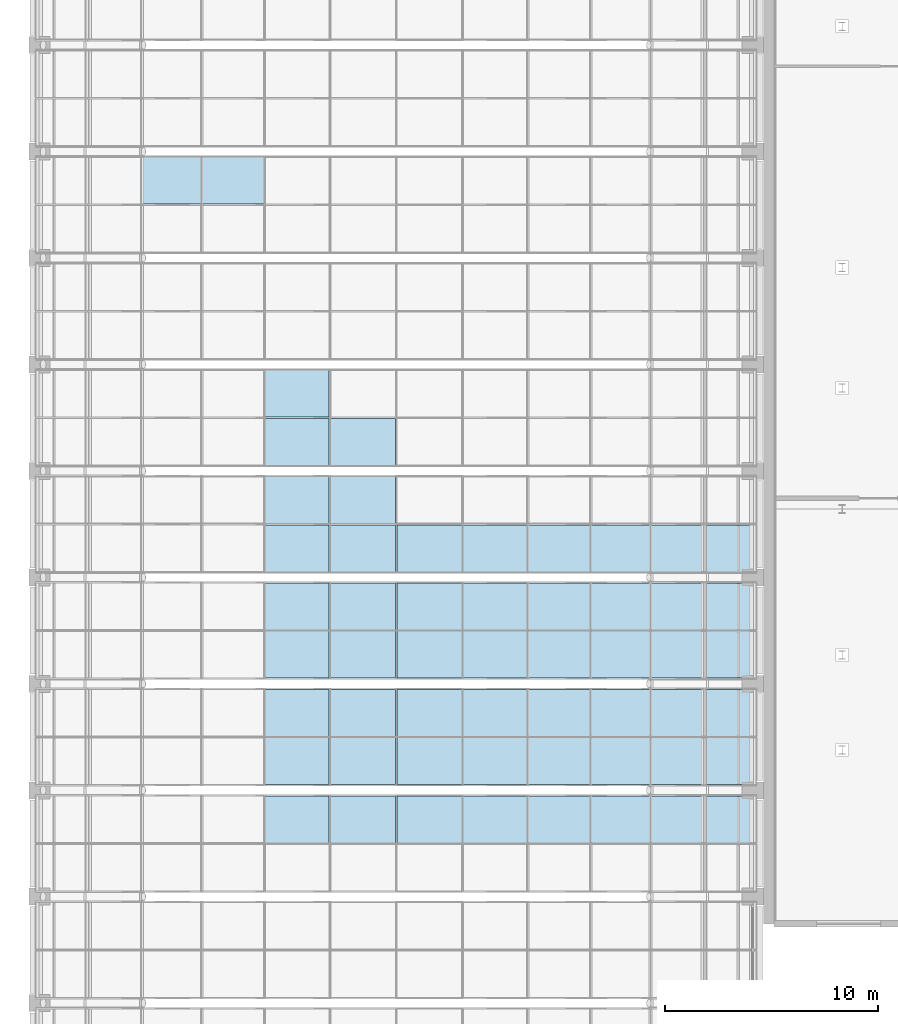
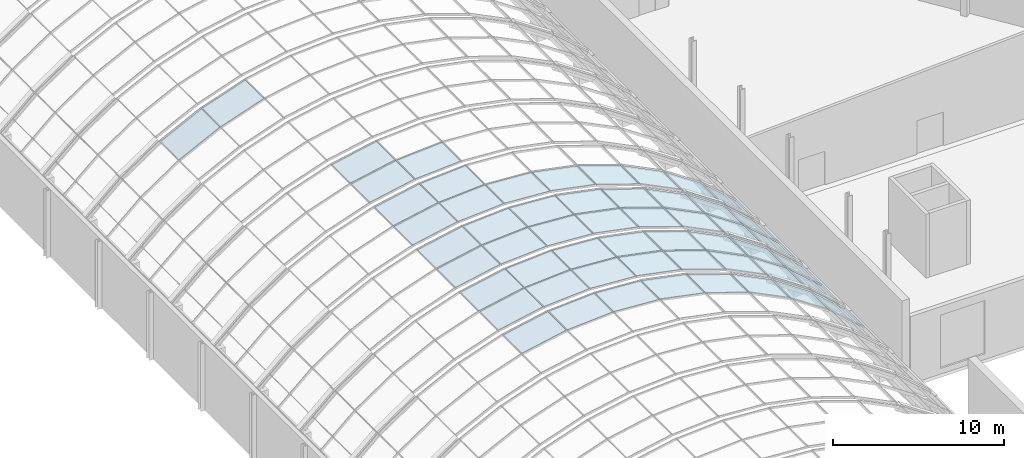
# One storey, part 113 of 182: 55 plates, 6 elements without a shape of their own.
"""IFC4 building model written with IfcOpenShell, lengths in metres."""

from ifc_helpers import new_model, si_unit, direction, frame, origin, place, context, subcontext, project, spatial, polyline, outline, extrude, material, layer, layer_set, type_object, element, aggregate, save


model = new_model("IFC4")

# Units and contexts
model_context = context("Model", 3, precision=1e-05, world=origin(), true_north=direction((0.0, 1.0)))
body_context = subcontext(model_context, "Body", "Model", "MODEL_VIEW")
ifc_project = project(units=[si_unit("LENGTHUNIT", "METRE"), si_unit("AREAUNIT", "SQUARE_METRE"), si_unit("VOLUMEUNIT", "CUBIC_METRE"), si_unit("PLANEANGLEUNIT", "RADIAN"), si_unit("MASSUNIT", "GRAM", prefix="KILO")], contexts=[model_context])

# Site, building, storey
site_placement = place(None, origin())
site = spatial("IfcSite", under=ifc_project, at=site_placement, CompositionType="ELEMENT")
building_placement = place(site_placement, origin())
building = spatial("IfcBuilding", under=site, at=building_placement, Name="Okhra Congress Centre", CompositionType="ELEMENT")
storey_placement = place(building_placement, frame((0.0, 0.0, 7.199951171875)))
storey = spatial("IfcBuildingStorey", under=building, at=storey_placement, Name="L01", CompositionType="ELEMENT", Elevation=7.199951171875)

# Curtain wall, plates
ifc_material_1 = material(Name="Aluminium frame with triple glazing", Category="aluminium")
curtain_wall_type = type_object("IfcCurtainWallType", Name="Glazed vault bay curtain wall", PredefinedType="NOTDEFINED", material=ifc_material_1)
curtain_wall_1_placement = place(storey_placement, origin())
curtain_wall_1 = element("IfcCurtainWall", 1, at=curtain_wall_1_placement, inside=storey, type_object=curtain_wall_type, Name="Vault glazing bay 16", PredefinedType="NOTDEFINED")
ifc_material_2 = material(Name="Laminated toughened glass unit, low-e coating", Category="glass")
ifc_layer_1 = layer(ifc_material_2, 0.035888671875)
ifc_layer_set_1 = layer_set([ifc_layer_1], Name="Laminated safety glazing unit 36 mm")
plate_type_1 = type_object("IfcPlateType", Name="Laminated safety glazing unit 36 mm", PredefinedType="CURTAIN_PANEL", material=ifc_layer_set_1)
plate_1_placement = place(storey_placement, frame((184.217529296875, 153.530029296875, 5.729248046875), z_axis=(0.55946738617, 0.0, 0.82885236551), x_axis=(0.82885236551, 0.0, -0.55946738617)))
plate_1 = element("IfcPlate", 2, at=plate_1_placement, type_object=plate_type_1, Name="Vault glass panel 16.2.11", PredefinedType="CURTAIN_PANEL", context=body_context, shape_type="SweptSolid", body=[
    extrude(outline(polyline([(0.0, 0.0), (3.0668817430899797, 0.0), (3.0668817430899797, 2.206787109375), (0.0, 2.206787109375), (0.0, 0.0)])), origin(), (0.0, 0.0, -1.0), 0.035888671875),
])
plate_2_placement = place(storey_placement, frame((186.806640625, 153.530029296875, 3.976806640625), z_axis=(0.663696509452, 0.0, 0.748001967472), x_axis=(0.748001967472, 0.0, -0.663696509452)))
plate_2 = element("IfcPlate", 3, at=plate_2_placement, type_object=plate_type_1, Name="Vault glass panel 16.2.12", PredefinedType="CURTAIN_PANEL", context=body_context, shape_type="SweptSolid", body=[
    extrude(outline(polyline([(0.0, 0.0), (3.066763741617069, 0.0), (3.066763741617069, 2.206787109375), (0.0, 2.206787109375), (0.0, 0.0)])), origin(), (0.0, 0.0, -1.0), 0.035888671875),
])

curtain_wall_2_placement = place(storey_placement, origin())
curtain_wall_2 = element("IfcCurtainWall", 4, at=curtain_wall_2_placement, inside=storey, type_object=curtain_wall_type, Name="Vault glazing bay 17", PredefinedType="NOTDEFINED")
plate_3_placement = place(storey_placement, frame((184.217529296875, 156.26318359375, 5.729248046875), z_axis=(0.55946738617, 0.0, 0.82885236551), x_axis=(0.82885236551, 0.0, -0.55946738617)))
plate_3 = element("IfcPlate", 5, at=plate_3_placement, type_object=plate_type_1, Name="Vault glass panel 17.1.11", PredefinedType="CURTAIN_PANEL", context=body_context, shape_type="SweptSolid", body=[
    extrude(outline(polyline([(0.0, 0.0), (3.0668817430899797, 0.0), (3.0668817430899797, 2.206787109375), (0.0, 2.206787109375), (0.0, 0.0)])), origin(), (0.0, 0.0, -1.0), 0.035888671875),
])
plate_4_placement = place(storey_placement, frame((186.806640625, 156.26318359375, 3.976806640625), z_axis=(0.663696509452, 0.0, 0.748001967472), x_axis=(0.748001967472, 0.0, -0.663696509452)))
plate_4 = element("IfcPlate", 6, at=plate_4_placement, type_object=plate_type_1, Name="Vault glass panel 17.1.12", PredefinedType="CURTAIN_PANEL", context=body_context, shape_type="SweptSolid", body=[
    extrude(outline(polyline([(0.0, 0.0), (3.066763741617069, 0.0), (3.066763741617069, 2.206787109375), (0.0, 2.206787109375), (0.0, 0.0)])), origin(), (0.0, 0.0, -1.0), 0.035888671875),
])
plate_5_placement = place(storey_placement, frame((184.217529296875, 158.530029296875, 5.729248046875), z_axis=(0.55946738617, 0.0, 0.82885236551), x_axis=(0.82885236551, 0.0, -0.55946738617)))
plate_5 = element("IfcPlate", 7, at=plate_5_placement, type_object=plate_type_1, Name="Vault glass panel 17.2.11", PredefinedType="CURTAIN_PANEL", context=body_context, shape_type="SweptSolid", body=[
    extrude(outline(polyline([(0.0, 0.0), (3.0668817430899797, 0.0), (3.0668817430899797, 2.206787109375), (0.0, 2.206787109375), (0.0, 0.0)])), origin(), (0.0, 0.0, -1.0), 0.035888671875),
])
plate_6_placement = place(storey_placement, frame((186.806640625, 158.530029296875, 3.976806640625), z_axis=(0.663696509452, 0.0, 0.748001967472), x_axis=(0.748001967472, 0.0, -0.663696509452)))
plate_6 = element("IfcPlate", 8, at=plate_6_placement, type_object=plate_type_1, Name="Vault glass panel 17.2.12", PredefinedType="CURTAIN_PANEL", context=body_context, shape_type="SweptSolid", body=[
    extrude(outline(polyline([(0.0, 0.0), (3.066763741617069, 0.0), (3.066763741617069, 2.206787109375), (0.0, 2.206787109375), (0.0, 0.0)])), origin(), (0.0, 0.0, -1.0), 0.035888671875),
])

curtain_wall_3_placement = place(storey_placement, origin())
curtain_wall_3 = element("IfcCurtainWall", 9, at=curtain_wall_3_placement, inside=storey, type_object=curtain_wall_type, Name="Vault glazing bay 18", PredefinedType="NOTDEFINED")
plate_7_placement = place(storey_placement, frame((184.217529296875, 161.26318359375, 5.729248046875), z_axis=(0.55946738617, 0.0, 0.82885236551), x_axis=(0.82885236551, 0.0, -0.55946738617)))
plate_7 = element("IfcPlate", 10, at=plate_7_placement, type_object=plate_type_1, Name="Vault glass panel 18.1.11", PredefinedType="CURTAIN_PANEL", context=body_context, shape_type="SweptSolid", body=[
    extrude(outline(polyline([(0.0, 0.0), (3.0668817430899797, 0.0), (3.0668817430899797, 2.206787109375), (0.0, 2.206787109375), (0.0, 0.0)])), origin(), (0.0, 0.0, -1.0), 0.035888671875),
])
plate_8_placement = place(storey_placement, frame((186.806640625, 161.26318359375, 3.976806640625), z_axis=(0.663696509452, 0.0, 0.748001967472), x_axis=(0.748001967472, 0.0, -0.663696509452)))
plate_8 = element("IfcPlate", 11, at=plate_8_placement, type_object=plate_type_1, Name="Vault glass panel 18.1.12", PredefinedType="CURTAIN_PANEL", context=body_context, shape_type="SweptSolid", body=[
    extrude(outline(polyline([(0.0, 0.0), (3.066763741617069, 0.0), (3.066763741617069, 2.206787109375), (0.0, 2.206787109375), (0.0, 0.0)])), origin(), (0.0, 0.0, -1.0), 0.035888671875),
])
plate_9_placement = place(storey_placement, frame((184.217529296875, 163.530029296875, 5.729248046875), z_axis=(0.55946738617, 0.0, 0.82885236551), x_axis=(0.82885236551, 0.0, -0.55946738617)))
plate_9 = element("IfcPlate", 12, at=plate_9_placement, type_object=plate_type_1, Name="Vault glass panel 18.2.11", PredefinedType="CURTAIN_PANEL", context=body_context, shape_type="SweptSolid", body=[
    extrude(outline(polyline([(0.0, 0.0), (3.0668817430899797, 0.0), (3.0668817430899797, 2.206787109375), (0.0, 2.206787109375), (0.0, 0.0)])), origin(), (0.0, 0.0, -1.0), 0.035888671875),
])
plate_10_placement = place(storey_placement, frame((186.806640625, 163.530029296875, 3.976806640625), z_axis=(0.663696509452, 0.0, 0.748001967472), x_axis=(0.748001967472, 0.0, -0.663696509452)))
plate_10 = element("IfcPlate", 13, at=plate_10_placement, type_object=plate_type_1, Name="Vault glass panel 18.2.12", PredefinedType="CURTAIN_PANEL", context=body_context, shape_type="SweptSolid", body=[
    extrude(outline(polyline([(0.0, 0.0), (3.066763741617069, 0.0), (3.066763741617069, 2.206787109375), (0.0, 2.206787109375), (0.0, 0.0)])), origin(), (0.0, 0.0, -1.0), 0.035888671875),
])

curtain_wall_4_placement = place(storey_placement, origin())
curtain_wall_4 = element("IfcCurtainWall", 14, at=curtain_wall_4_placement, inside=storey, type_object=curtain_wall_type, Name="Vault glazing bay 19", PredefinedType="NOTDEFINED")
plate_11_placement = place(storey_placement, frame((184.217529296875, 166.26318359375, 5.729248046875), z_axis=(0.55946738617, 0.0, 0.82885236551), x_axis=(0.82885236551, 0.0, -0.55946738617)))
plate_11 = element("IfcPlate", 15, at=plate_11_placement, type_object=plate_type_1, Name="Vault glass panel 19.1.11", PredefinedType="CURTAIN_PANEL", context=body_context, shape_type="SweptSolid", body=[
    extrude(outline(polyline([(0.0, 0.0), (3.0668817430899797, 0.0), (3.0668817430899797, 2.206787109375), (0.0, 2.206787109375), (0.0, 0.0)])), origin(), (0.0, 0.0, -1.0), 0.035888671875),
])
plate_12_placement = place(storey_placement, frame((186.806640625, 166.26318359375, 3.976806640625), z_axis=(0.663696509452, 0.0, 0.748001967472), x_axis=(0.748001967472, 0.0, -0.663696509452)))
plate_12 = element("IfcPlate", 16, at=plate_12_placement, type_object=plate_type_1, Name="Vault glass panel 19.1.12", PredefinedType="CURTAIN_PANEL", context=body_context, shape_type="SweptSolid", body=[
    extrude(outline(polyline([(0.0, 0.0), (3.066763741617069, 0.0), (3.066763741617069, 2.206787109375), (0.0, 2.206787109375), (0.0, 0.0)])), origin(), (0.0, 0.0, -1.0), 0.035888671875),
])

# Plate
ifc_material_3 = material(Name="Toughened triple glazed unit")
ifc_layer_2 = layer(ifc_material_3, 0.028076171875)
ifc_layer_set_2 = layer_set([ifc_layer_2], Name="Triple glazed unit 28 mm")
plate_type_2 = type_object("IfcPlateType", Name="Triple glazed unit 28 mm", PredefinedType="CURTAIN_PANEL", material=ifc_layer_set_2)
plate_13_placement = place(storey_placement, frame((166.094970703125, 153.530029296875, 8.154052734375), z_axis=(-0.196667336174, 0.0, 0.980470274349), x_axis=(0.980470274349, 0.0, 0.196667336174)))
plate_13 = element("IfcPlate", 17, at=plate_13_placement, type_object=plate_type_2, Name="Vault glass panel 16.2.5", PredefinedType="CURTAIN_PANEL", context=body_context, shape_type="SweptSolid", body=[
    extrude(outline(polyline([(0.0, 0.0), (3.0662302926476426, 0.0), (3.0662302926476426, 2.206787109375), (0.0, 2.206787109375), (0.0, 0.0)])), origin(), (0.0, 0.0, -1.0), 0.028076171875),
])

plate_14_placement = place(storey_placement, frame((169.16064453125, 153.530029296875, 8.764892578125), z_axis=(-0.065932355807, 0.0, 0.997824094947), x_axis=(0.997824094947, 0.0, 0.065932355807)))
plate_14 = element("IfcPlate", 18, at=plate_14_placement, type_object=plate_type_2, Name="Vault glass panel 16.2.6", PredefinedType="CURTAIN_PANEL", context=body_context, shape_type="SweptSolid", body=[
    extrude(outline(polyline([(0.0, 0.0), (3.0659974913073613, 0.0), (3.0659974913073613, 2.2067871093750004), (0.0, 2.2067871093750004), (0.0, 0.0)])), origin(), (0.0, 0.0, -1.0), 0.028076171875),
])

plate_15_placement = place(storey_placement, frame((172.280029296875, 153.530029296875, 8.967041015625), z_axis=(0.065932355807, 0.0, 0.997824094947), x_axis=(0.997824094947, 0.0, -0.065932355807)))
plate_15 = element("IfcPlate", 19, at=plate_15_placement, type_object=plate_type_2, Name="Vault glass panel 16.2.7", PredefinedType="CURTAIN_PANEL", context=body_context, shape_type="SweptSolid", body=[
    extrude(outline(polyline([(0.0, 0.0), (3.0659974913073613, 0.0), (3.0659974913073613, 2.2067871093750004), (0.0, 2.2067871093750004), (0.0, 0.0)])), origin(), (0.0, 0.0, -1.0), 0.028076171875),
])

plate_16_placement = place(storey_placement, frame((175.398681640625, 153.530029296875, 8.757080078125), z_axis=(0.196667336174, 0.0, 0.980470274349), x_axis=(0.980470274349, 0.0, -0.196667336174)))
plate_16 = element("IfcPlate", 20, at=plate_16_placement, type_object=plate_type_2, Name="Vault glass panel 16.2.8", PredefinedType="CURTAIN_PANEL", context=body_context, shape_type="SweptSolid", body=[
    extrude(outline(polyline([(0.0, 0.0), (3.0662302926476426, 0.0), (3.0662302926476426, 2.206787109375), (0.0, 2.206787109375), (0.0, 0.0)])), origin(), (0.0, 0.0, -1.0), 0.028076171875),
])

plate_17_placement = place(storey_placement, frame((178.462890625, 153.530029296875, 8.138427734375), z_axis=(0.323909017048, 0.0, 0.946088235143), x_axis=(0.946088235143, 0.0, -0.323909017048)))
plate_17 = element("IfcPlate", 21, at=plate_17_placement, type_object=plate_type_2, Name="Vault glass panel 16.2.9", PredefinedType="CURTAIN_PANEL", context=body_context, shape_type="SweptSolid", body=[
    extrude(outline(polyline([(0.0, 0.0), (3.0661822000278622, 0.0), (3.0661822000278622, 2.2067871093750004), (0.0, 2.2067871093750004), (0.0, 0.0)])), origin(), (0.0, 0.0, -1.0), 0.028076171875),
])

plate_18_placement = place(storey_placement, frame((181.4189453125, 153.530029296875, 7.122314453125), z_axis=(0.445588482535, 0.0, 0.895237903706), x_axis=(0.895237903706, 0.0, -0.445588482535)))
plate_18 = element("IfcPlate", 22, at=plate_18_placement, type_object=plate_type_2, Name="Vault glass panel 16.2.10", PredefinedType="CURTAIN_PANEL", context=body_context, shape_type="SweptSolid", body=[
    extrude(outline(polyline([(0.0, 0.0), (3.066082250887193, 0.0), (3.066082250887193, 2.206787109375), (0.0, 2.206787109375), (0.0, 0.0)])), origin(), (0.0, 0.0, -1.0), 0.028076171875),
])

aggregate(curtain_wall_1, [plate_13, plate_14, plate_15, plate_16, plate_17, plate_18, plate_1, plate_2])

plate_19_placement = place(storey_placement, frame((166.094970703125, 156.26318359375, 8.154052734375), z_axis=(-0.196667336174, 0.0, 0.980470274349), x_axis=(0.980470274349, 0.0, 0.196667336174)))
plate_19 = element("IfcPlate", 23, at=plate_19_placement, type_object=plate_type_2, Name="Vault glass panel 17.1.5", PredefinedType="CURTAIN_PANEL", context=body_context, shape_type="SweptSolid", body=[
    extrude(outline(polyline([(0.0, 0.0), (3.0662302926476426, 0.0), (3.0662302926476426, 2.206787109375), (0.0, 2.206787109375), (0.0, 0.0)])), origin(), (0.0, 0.0, -1.0), 0.028076171875),
])

plate_20_placement = place(storey_placement, frame((169.16064453125, 156.26318359375, 8.764892578125), z_axis=(-0.065932355807, 0.0, 0.997824094947), x_axis=(0.997824094947, 0.0, 0.065932355807)))
plate_20 = element("IfcPlate", 24, at=plate_20_placement, type_object=plate_type_2, Name="Vault glass panel 17.1.6", PredefinedType="CURTAIN_PANEL", context=body_context, shape_type="SweptSolid", body=[
    extrude(outline(polyline([(0.0, 0.0), (3.0659974913073613, 0.0), (3.0659974913073613, 2.2067871093750004), (0.0, 2.2067871093750004), (0.0, 0.0)])), origin(), (0.0, 0.0, -1.0), 0.028076171875),
])

plate_21_placement = place(storey_placement, frame((172.280029296875, 156.26318359375, 8.967041015625), z_axis=(0.065932355807, 0.0, 0.997824094947), x_axis=(0.997824094947, 0.0, -0.065932355807)))
plate_21 = element("IfcPlate", 25, at=plate_21_placement, type_object=plate_type_2, Name="Vault glass panel 17.1.7", PredefinedType="CURTAIN_PANEL", context=body_context, shape_type="SweptSolid", body=[
    extrude(outline(polyline([(0.0, 0.0), (3.0659974913073613, 0.0), (3.0659974913073613, 2.2067871093750004), (0.0, 2.2067871093750004), (0.0, 0.0)])), origin(), (0.0, 0.0, -1.0), 0.028076171875),
])

plate_22_placement = place(storey_placement, frame((175.398681640625, 156.26318359375, 8.757080078125), z_axis=(0.196667336174, 0.0, 0.980470274349), x_axis=(0.980470274349, 0.0, -0.196667336174)))
plate_22 = element("IfcPlate", 26, at=plate_22_placement, type_object=plate_type_2, Name="Vault glass panel 17.1.8", PredefinedType="CURTAIN_PANEL", context=body_context, shape_type="SweptSolid", body=[
    extrude(outline(polyline([(0.0, 0.0), (3.0662302926476426, 0.0), (3.0662302926476426, 2.206787109375), (0.0, 2.206787109375), (0.0, 0.0)])), origin(), (0.0, 0.0, -1.0), 0.028076171875),
])

plate_23_placement = place(storey_placement, frame((178.462890625, 156.26318359375, 8.138427734375), z_axis=(0.323909017048, 0.0, 0.946088235143), x_axis=(0.946088235143, 0.0, -0.323909017048)))
plate_23 = element("IfcPlate", 27, at=plate_23_placement, type_object=plate_type_2, Name="Vault glass panel 17.1.9", PredefinedType="CURTAIN_PANEL", context=body_context, shape_type="SweptSolid", body=[
    extrude(outline(polyline([(0.0, 0.0), (3.0661822000278622, 0.0), (3.0661822000278622, 2.2067871093750004), (0.0, 2.2067871093750004), (0.0, 0.0)])), origin(), (0.0, 0.0, -1.0), 0.028076171875),
])

plate_24_placement = place(storey_placement, frame((181.4189453125, 156.26318359375, 7.122314453125), z_axis=(0.445588482535, 0.0, 0.895237903706), x_axis=(0.895237903706, 0.0, -0.445588482535)))
plate_24 = element("IfcPlate", 28, at=plate_24_placement, type_object=plate_type_2, Name="Vault glass panel 17.1.10", PredefinedType="CURTAIN_PANEL", context=body_context, shape_type="SweptSolid", body=[
    extrude(outline(polyline([(0.0, 0.0), (3.066082250887193, 0.0), (3.066082250887193, 2.206787109375), (0.0, 2.206787109375), (0.0, 0.0)])), origin(), (0.0, 0.0, -1.0), 0.028076171875),
])

plate_25_placement = place(storey_placement, frame((166.094970703125, 158.530029296875, 8.154052734375), z_axis=(-0.196667336174, 0.0, 0.980470274349), x_axis=(0.980470274349, 0.0, 0.196667336174)))
plate_25 = element("IfcPlate", 29, at=plate_25_placement, type_object=plate_type_2, Name="Vault glass panel 17.2.5", PredefinedType="CURTAIN_PANEL", context=body_context, shape_type="SweptSolid", body=[
    extrude(outline(polyline([(0.0, 0.0), (3.0662302926476426, 0.0), (3.0662302926476426, 2.206787109375), (0.0, 2.206787109375), (0.0, 0.0)])), origin(), (0.0, 0.0, -1.0), 0.028076171875),
])

plate_26_placement = place(storey_placement, frame((169.16064453125, 158.530029296875, 8.764892578125), z_axis=(-0.065932355807, 0.0, 0.997824094947), x_axis=(0.997824094947, 0.0, 0.065932355807)))
plate_26 = element("IfcPlate", 30, at=plate_26_placement, type_object=plate_type_2, Name="Vault glass panel 17.2.6", PredefinedType="CURTAIN_PANEL", context=body_context, shape_type="SweptSolid", body=[
    extrude(outline(polyline([(0.0, 0.0), (3.0659974913073613, 0.0), (3.0659974913073613, 2.2067871093750004), (0.0, 2.2067871093750004), (0.0, 0.0)])), origin(), (0.0, 0.0, -1.0), 0.028076171875),
])

plate_27_placement = place(storey_placement, frame((172.280029296875, 158.530029296875, 8.967041015625), z_axis=(0.065932355807, 0.0, 0.997824094947), x_axis=(0.997824094947, 0.0, -0.065932355807)))
plate_27 = element("IfcPlate", 31, at=plate_27_placement, type_object=plate_type_2, Name="Vault glass panel 17.2.7", PredefinedType="CURTAIN_PANEL", context=body_context, shape_type="SweptSolid", body=[
    extrude(outline(polyline([(0.0, 0.0), (3.0659974913073613, 0.0), (3.0659974913073613, 2.2067871093750004), (0.0, 2.2067871093750004), (0.0, 0.0)])), origin(), (0.0, 0.0, -1.0), 0.028076171875),
])

plate_28_placement = place(storey_placement, frame((175.398681640625, 158.530029296875, 8.757080078125), z_axis=(0.196667336174, 0.0, 0.980470274349), x_axis=(0.980470274349, 0.0, -0.196667336174)))
plate_28 = element("IfcPlate", 32, at=plate_28_placement, type_object=plate_type_2, Name="Vault glass panel 17.2.8", PredefinedType="CURTAIN_PANEL", context=body_context, shape_type="SweptSolid", body=[
    extrude(outline(polyline([(0.0, 0.0), (3.0662302926476426, 0.0), (3.0662302926476426, 2.206787109375), (0.0, 2.206787109375), (0.0, 0.0)])), origin(), (0.0, 0.0, -1.0), 0.028076171875),
])

plate_29_placement = place(storey_placement, frame((178.462890625, 158.530029296875, 8.138427734375), z_axis=(0.323909017048, 0.0, 0.946088235143), x_axis=(0.946088235143, 0.0, -0.323909017048)))
plate_29 = element("IfcPlate", 33, at=plate_29_placement, type_object=plate_type_2, Name="Vault glass panel 17.2.9", PredefinedType="CURTAIN_PANEL", context=body_context, shape_type="SweptSolid", body=[
    extrude(outline(polyline([(0.0, 0.0), (3.0661822000278622, 0.0), (3.0661822000278622, 2.2067871093750004), (0.0, 2.2067871093750004), (0.0, 0.0)])), origin(), (0.0, 0.0, -1.0), 0.028076171875),
])

plate_30_placement = place(storey_placement, frame((181.4189453125, 158.530029296875, 7.122314453125), z_axis=(0.445588482535, 0.0, 0.895237903706), x_axis=(0.895237903706, 0.0, -0.445588482535)))
plate_30 = element("IfcPlate", 34, at=plate_30_placement, type_object=plate_type_2, Name="Vault glass panel 17.2.10", PredefinedType="CURTAIN_PANEL", context=body_context, shape_type="SweptSolid", body=[
    extrude(outline(polyline([(0.0, 0.0), (3.066082250887193, 0.0), (3.066082250887193, 2.206787109375), (0.0, 2.206787109375), (0.0, 0.0)])), origin(), (0.0, 0.0, -1.0), 0.028076171875),
])

aggregate(curtain_wall_2, [plate_19, plate_20, plate_21, plate_22, plate_23, plate_24, plate_3, plate_4, plate_25, plate_26, plate_27, plate_28, plate_29, plate_30, plate_5, plate_6])

plate_31_placement = place(storey_placement, frame((166.094970703125, 161.26318359375, 8.154052734375), z_axis=(-0.196667336174, 0.0, 0.980470274349), x_axis=(0.980470274349, 0.0, 0.196667336174)))
plate_31 = element("IfcPlate", 35, at=plate_31_placement, type_object=plate_type_2, Name="Vault glass panel 18.1.5", PredefinedType="CURTAIN_PANEL", context=body_context, shape_type="SweptSolid", body=[
    extrude(outline(polyline([(0.0, 0.0), (3.0662302926476426, 0.0), (3.0662302926476426, 2.206787109375), (0.0, 2.206787109375), (0.0, 0.0)])), origin(), (0.0, 0.0, -1.0), 0.028076171875),
])

plate_32_placement = place(storey_placement, frame((169.16064453125, 161.26318359375, 8.764892578125), z_axis=(-0.065932355807, 0.0, 0.997824094947), x_axis=(0.997824094947, 0.0, 0.065932355807)))
plate_32 = element("IfcPlate", 36, at=plate_32_placement, type_object=plate_type_2, Name="Vault glass panel 18.1.6", PredefinedType="CURTAIN_PANEL", context=body_context, shape_type="SweptSolid", body=[
    extrude(outline(polyline([(0.0, 0.0), (3.0659974913073613, 0.0), (3.0659974913073613, 2.2067871093750004), (0.0, 2.2067871093750004), (0.0, 0.0)])), origin(), (0.0, 0.0, -1.0), 0.028076171875),
])

plate_33_placement = place(storey_placement, frame((172.280029296875, 161.26318359375, 8.967041015625), z_axis=(0.065932355807, 0.0, 0.997824094947), x_axis=(0.997824094947, 0.0, -0.065932355807)))
plate_33 = element("IfcPlate", 37, at=plate_33_placement, type_object=plate_type_2, Name="Vault glass panel 18.1.7", PredefinedType="CURTAIN_PANEL", context=body_context, shape_type="SweptSolid", body=[
    extrude(outline(polyline([(0.0, 0.0), (3.0659974913073613, 0.0), (3.0659974913073613, 2.2067871093750004), (0.0, 2.2067871093750004), (0.0, 0.0)])), origin(), (0.0, 0.0, -1.0), 0.028076171875),
])

plate_34_placement = place(storey_placement, frame((175.398681640625, 161.26318359375, 8.757080078125), z_axis=(0.196667336174, 0.0, 0.980470274349), x_axis=(0.980470274349, 0.0, -0.196667336174)))
plate_34 = element("IfcPlate", 38, at=plate_34_placement, type_object=plate_type_2, Name="Vault glass panel 18.1.8", PredefinedType="CURTAIN_PANEL", context=body_context, shape_type="SweptSolid", body=[
    extrude(outline(polyline([(0.0, 0.0), (3.0662302926476426, 0.0), (3.0662302926476426, 2.206787109375), (0.0, 2.206787109375), (0.0, 0.0)])), origin(), (0.0, 0.0, -1.0), 0.028076171875),
])

plate_35_placement = place(storey_placement, frame((178.462890625, 161.26318359375, 8.138427734375), z_axis=(0.323909017048, 0.0, 0.946088235143), x_axis=(0.946088235143, 0.0, -0.323909017048)))
plate_35 = element("IfcPlate", 39, at=plate_35_placement, type_object=plate_type_2, Name="Vault glass panel 18.1.9", PredefinedType="CURTAIN_PANEL", context=body_context, shape_type="SweptSolid", body=[
    extrude(outline(polyline([(0.0, 0.0), (3.0661822000278622, 0.0), (3.0661822000278622, 2.2067871093750004), (0.0, 2.2067871093750004), (0.0, 0.0)])), origin(), (0.0, 0.0, -1.0), 0.028076171875),
])

plate_36_placement = place(storey_placement, frame((181.4189453125, 161.26318359375, 7.122314453125), z_axis=(0.445588482535, 0.0, 0.895237903706), x_axis=(0.895237903706, 0.0, -0.445588482535)))
plate_36 = element("IfcPlate", 40, at=plate_36_placement, type_object=plate_type_2, Name="Vault glass panel 18.1.10", PredefinedType="CURTAIN_PANEL", context=body_context, shape_type="SweptSolid", body=[
    extrude(outline(polyline([(0.0, 0.0), (3.066082250887193, 0.0), (3.066082250887193, 2.206787109375), (0.0, 2.206787109375), (0.0, 0.0)])), origin(), (0.0, 0.0, -1.0), 0.028076171875),
])

plate_37_placement = place(storey_placement, frame((166.094970703125, 163.530029296875, 8.154052734375), z_axis=(-0.196667336174, 0.0, 0.980470274349), x_axis=(0.980470274349, 0.0, 0.196667336174)))
plate_37 = element("IfcPlate", 41, at=plate_37_placement, type_object=plate_type_2, Name="Vault glass panel 18.2.5", PredefinedType="CURTAIN_PANEL", context=body_context, shape_type="SweptSolid", body=[
    extrude(outline(polyline([(0.0, 0.0), (3.0662302926476426, 0.0), (3.0662302926476426, 2.206787109375), (0.0, 2.206787109375), (0.0, 0.0)])), origin(), (0.0, 0.0, -1.0), 0.028076171875),
])

plate_38_placement = place(storey_placement, frame((169.16064453125, 163.530029296875, 8.764892578125), z_axis=(-0.065932355807, 0.0, 0.997824094947), x_axis=(0.997824094947, 0.0, 0.065932355807)))
plate_38 = element("IfcPlate", 42, at=plate_38_placement, type_object=plate_type_2, Name="Vault glass panel 18.2.6", PredefinedType="CURTAIN_PANEL", context=body_context, shape_type="SweptSolid", body=[
    extrude(outline(polyline([(0.0, 0.0), (3.0659974913073613, 0.0), (3.0659974913073613, 2.2067871093750004), (0.0, 2.2067871093750004), (0.0, 0.0)])), origin(), (0.0, 0.0, -1.0), 0.028076171875),
])

plate_39_placement = place(storey_placement, frame((172.280029296875, 163.530029296875, 8.967041015625), z_axis=(0.065932355807, 0.0, 0.997824094947), x_axis=(0.997824094947, 0.0, -0.065932355807)))
plate_39 = element("IfcPlate", 43, at=plate_39_placement, type_object=plate_type_2, Name="Vault glass panel 18.2.7", PredefinedType="CURTAIN_PANEL", context=body_context, shape_type="SweptSolid", body=[
    extrude(outline(polyline([(0.0, 0.0), (3.0659974913073613, 0.0), (3.0659974913073613, 2.2067871093750004), (0.0, 2.2067871093750004), (0.0, 0.0)])), origin(), (0.0, 0.0, -1.0), 0.028076171875),
])

plate_40_placement = place(storey_placement, frame((175.398681640625, 163.530029296875, 8.757080078125), z_axis=(0.196667336174, 0.0, 0.980470274349), x_axis=(0.980470274349, 0.0, -0.196667336174)))
plate_40 = element("IfcPlate", 44, at=plate_40_placement, type_object=plate_type_2, Name="Vault glass panel 18.2.8", PredefinedType="CURTAIN_PANEL", context=body_context, shape_type="SweptSolid", body=[
    extrude(outline(polyline([(0.0, 0.0), (3.0662302926476426, 0.0), (3.0662302926476426, 2.206787109375), (0.0, 2.206787109375), (0.0, 0.0)])), origin(), (0.0, 0.0, -1.0), 0.028076171875),
])

plate_41_placement = place(storey_placement, frame((178.462890625, 163.530029296875, 8.138427734375), z_axis=(0.323909017048, 0.0, 0.946088235143), x_axis=(0.946088235143, 0.0, -0.323909017048)))
plate_41 = element("IfcPlate", 45, at=plate_41_placement, type_object=plate_type_2, Name="Vault glass panel 18.2.9", PredefinedType="CURTAIN_PANEL", context=body_context, shape_type="SweptSolid", body=[
    extrude(outline(polyline([(0.0, 0.0), (3.0661822000278622, 0.0), (3.0661822000278622, 2.2067871093750004), (0.0, 2.2067871093750004), (0.0, 0.0)])), origin(), (0.0, 0.0, -1.0), 0.028076171875),
])

plate_42_placement = place(storey_placement, frame((181.4189453125, 163.530029296875, 7.122314453125), z_axis=(0.445588482535, 0.0, 0.895237903706), x_axis=(0.895237903706, 0.0, -0.445588482535)))
plate_42 = element("IfcPlate", 46, at=plate_42_placement, type_object=plate_type_2, Name="Vault glass panel 18.2.10", PredefinedType="CURTAIN_PANEL", context=body_context, shape_type="SweptSolid", body=[
    extrude(outline(polyline([(0.0, 0.0), (3.066082250887193, 0.0), (3.066082250887193, 2.206787109375), (0.0, 2.206787109375), (0.0, 0.0)])), origin(), (0.0, 0.0, -1.0), 0.028076171875),
])

aggregate(curtain_wall_3, [plate_31, plate_32, plate_33, plate_34, plate_35, plate_36, plate_7, plate_8, plate_37, plate_38, plate_39, plate_40, plate_41, plate_42, plate_9, plate_10])

plate_43_placement = place(storey_placement, frame((166.094970703125, 166.26318359375, 8.154052734375), z_axis=(-0.196667336174, 0.0, 0.980470274349), x_axis=(0.980470274349, 0.0, 0.196667336174)))
plate_43 = element("IfcPlate", 47, at=plate_43_placement, type_object=plate_type_2, Name="Vault glass panel 19.1.5", PredefinedType="CURTAIN_PANEL", context=body_context, shape_type="SweptSolid", body=[
    extrude(outline(polyline([(0.0, 0.0), (3.0662302926476426, 0.0), (3.0662302926476426, 2.206787109375), (0.0, 2.206787109375), (0.0, 0.0)])), origin(), (0.0, 0.0, -1.0), 0.028076171875),
])

plate_44_placement = place(storey_placement, frame((169.16064453125, 166.26318359375, 8.764892578125), z_axis=(-0.065932355807, 0.0, 0.997824094947), x_axis=(0.997824094947, 0.0, 0.065932355807)))
plate_44 = element("IfcPlate", 48, at=plate_44_placement, type_object=plate_type_2, Name="Vault glass panel 19.1.6", PredefinedType="CURTAIN_PANEL", context=body_context, shape_type="SweptSolid", body=[
    extrude(outline(polyline([(0.0, 0.0), (3.0659974913073613, 0.0), (3.0659974913073613, 2.2067871093750004), (0.0, 2.2067871093750004), (0.0, 0.0)])), origin(), (0.0, 0.0, -1.0), 0.028076171875),
])

plate_45_placement = place(storey_placement, frame((172.280029296875, 166.26318359375, 8.967041015625), z_axis=(0.065932355807, 0.0, 0.997824094947), x_axis=(0.997824094947, 0.0, -0.065932355807)))
plate_45 = element("IfcPlate", 49, at=plate_45_placement, type_object=plate_type_2, Name="Vault glass panel 19.1.7", PredefinedType="CURTAIN_PANEL", context=body_context, shape_type="SweptSolid", body=[
    extrude(outline(polyline([(0.0, 0.0), (3.0659974913073613, 0.0), (3.0659974913073613, 2.2067871093750004), (0.0, 2.2067871093750004), (0.0, 0.0)])), origin(), (0.0, 0.0, -1.0), 0.028076171875),
])

plate_46_placement = place(storey_placement, frame((175.398681640625, 166.26318359375, 8.757080078125), z_axis=(0.196667336174, 0.0, 0.980470274349), x_axis=(0.980470274349, 0.0, -0.196667336174)))
plate_46 = element("IfcPlate", 50, at=plate_46_placement, type_object=plate_type_2, Name="Vault glass panel 19.1.8", PredefinedType="CURTAIN_PANEL", context=body_context, shape_type="SweptSolid", body=[
    extrude(outline(polyline([(0.0, 0.0), (3.0662302926476426, 0.0), (3.0662302926476426, 2.206787109375), (0.0, 2.206787109375), (0.0, 0.0)])), origin(), (0.0, 0.0, -1.0), 0.028076171875),
])

plate_47_placement = place(storey_placement, frame((178.462890625, 166.26318359375, 8.138427734375), z_axis=(0.323909017048, 0.0, 0.946088235143), x_axis=(0.946088235143, 0.0, -0.323909017048)))
plate_47 = element("IfcPlate", 51, at=plate_47_placement, type_object=plate_type_2, Name="Vault glass panel 19.1.9", PredefinedType="CURTAIN_PANEL", context=body_context, shape_type="SweptSolid", body=[
    extrude(outline(polyline([(0.0, 0.0), (3.0661822000278622, 0.0), (3.0661822000278622, 2.2067871093750004), (0.0, 2.2067871093750004), (0.0, 0.0)])), origin(), (0.0, 0.0, -1.0), 0.028076171875),
])

plate_48_placement = place(storey_placement, frame((181.4189453125, 166.26318359375, 7.122314453125), z_axis=(0.445588482535, 0.0, 0.895237903706), x_axis=(0.895237903706, 0.0, -0.445588482535)))
plate_48 = element("IfcPlate", 52, at=plate_48_placement, type_object=plate_type_2, Name="Vault glass panel 19.1.10", PredefinedType="CURTAIN_PANEL", context=body_context, shape_type="SweptSolid", body=[
    extrude(outline(polyline([(0.0, 0.0), (3.066082250887193, 0.0), (3.066082250887193, 2.206787109375), (0.0, 2.206787109375), (0.0, 0.0)])), origin(), (0.0, 0.0, -1.0), 0.028076171875),
])

plate_49_placement = place(storey_placement, frame((166.094970703125, 168.530029296875, 8.154052734375), z_axis=(-0.196667336174, 0.0, 0.980470274349), x_axis=(0.980470274349, 0.0, 0.196667336174)))
plate_49 = element("IfcPlate", 53, at=plate_49_placement, type_object=plate_type_2, Name="Vault glass panel 19.2.5", PredefinedType="CURTAIN_PANEL", context=body_context, shape_type="SweptSolid", body=[
    extrude(outline(polyline([(0.0, 0.0), (3.0662302926476426, 0.0), (3.0662302926476426, 2.206787109375), (0.0, 2.206787109375), (0.0, 0.0)])), origin(), (0.0, 0.0, -1.0), 0.028076171875),
])

plate_50_placement = place(storey_placement, frame((169.16064453125, 168.530029296875, 8.764892578125), z_axis=(-0.065932355807, 0.0, 0.997824094947), x_axis=(0.997824094947, 0.0, 0.065932355807)))
plate_50 = element("IfcPlate", 54, at=plate_50_placement, type_object=plate_type_2, Name="Vault glass panel 19.2.6", PredefinedType="CURTAIN_PANEL", context=body_context, shape_type="SweptSolid", body=[
    extrude(outline(polyline([(0.0, 0.0), (3.0659974913073613, 0.0), (3.0659974913073613, 2.2067871093750004), (0.0, 2.2067871093750004), (0.0, 0.0)])), origin(), (0.0, 0.0, -1.0), 0.028076171875),
])

aggregate(curtain_wall_4, [plate_43, plate_44, plate_45, plate_46, plate_47, plate_48, plate_11, plate_12, plate_49, plate_50])

# Curtain wall, plates
curtain_wall_5_placement = place(storey_placement, origin())
curtain_wall_5 = element("IfcCurtainWall", 55, at=curtain_wall_5_placement, inside=storey, type_object=curtain_wall_type, Name="Vault glazing bay 20", PredefinedType="NOTDEFINED")
plate_51_placement = place(storey_placement, frame((166.094970703125, 171.26318359375, 8.154052734375), z_axis=(-0.196667336174, 0.0, 0.980470274349), x_axis=(0.980470274349, 0.0, 0.196667336174)))
plate_51 = element("IfcPlate", 56, at=plate_51_placement, type_object=plate_type_2, Name="Vault glass panel 20.1.5", PredefinedType="CURTAIN_PANEL", context=body_context, shape_type="SweptSolid", body=[
    extrude(outline(polyline([(0.0, 0.0), (3.0662302926476426, 0.0), (3.0662302926476426, 2.206787109375), (0.0, 2.206787109375), (0.0, 0.0)])), origin(), (0.0, 0.0, -1.0), 0.028076171875),
])
plate_52_placement = place(storey_placement, frame((169.16064453125, 171.26318359375, 8.764892578125), z_axis=(-0.065932355807, 0.0, 0.997824094947), x_axis=(0.997824094947, 0.0, 0.065932355807)))
plate_52 = element("IfcPlate", 57, at=plate_52_placement, type_object=plate_type_2, Name="Vault glass panel 20.1.6", PredefinedType="CURTAIN_PANEL", context=body_context, shape_type="SweptSolid", body=[
    extrude(outline(polyline([(0.0, 0.0), (3.0659974913073613, 0.0), (3.0659974913073613, 2.2067871093750004), (0.0, 2.2067871093750004), (0.0, 0.0)])), origin(), (0.0, 0.0, -1.0), 0.028076171875),
])
plate_53_placement = place(storey_placement, frame((166.094970703125, 173.530029296875, 8.154052734375), z_axis=(-0.196667336174, 0.0, 0.980470274349), x_axis=(0.980470274349, 0.0, 0.196667336174)))
plate_53 = element("IfcPlate", 58, at=plate_53_placement, type_object=plate_type_2, Name="Vault glass panel 20.2.5", PredefinedType="CURTAIN_PANEL", context=body_context, shape_type="SweptSolid", body=[
    extrude(outline(polyline([(0.0, 0.0), (3.0662302926476426, 0.0), (3.0662302926476426, 2.206787109375), (0.0, 2.206787109375), (0.0, 0.0)])), origin(), (0.0, 0.0, -1.0), 0.028076171875),
])
aggregate(curtain_wall_5, [plate_51, plate_52, plate_53])

curtain_wall_6_placement = place(storey_placement, origin())
curtain_wall_6 = element("IfcCurtainWall", 59, at=curtain_wall_6_placement, inside=storey, type_object=curtain_wall_type, Name="Vault glazing bay 22", PredefinedType="NOTDEFINED")
plate_54_placement = place(storey_placement, frame((160.336181640625, 183.530029296875, 5.756103515625), z_axis=(-0.445588482535, 0.0, 0.895237903706), x_axis=(0.895237903706, 0.0, 0.445588482535)))
plate_54 = element("IfcPlate", 60, at=plate_54_placement, type_object=plate_type_2, Name="Vault glass panel 22.2.3", PredefinedType="CURTAIN_PANEL", context=body_context, shape_type="SweptSolid", body=[
    extrude(outline(polyline([(0.0, 0.0), (3.066082250887193, 0.0), (3.066082250887193, 2.206787109375), (0.0, 2.206787109375), (0.0, 0.0)])), origin(), (0.0, 0.0, -1.0), 0.028076171875),
])
plate_55_placement = place(storey_placement, frame((163.13623046875, 183.530029296875, 7.145263671875), z_axis=(-0.323909017048, 0.0, 0.946088235143), x_axis=(0.946088235143, 0.0, 0.323909017048)))
plate_55 = element("IfcPlate", 61, at=plate_55_placement, type_object=plate_type_2, Name="Vault glass panel 22.2.4", PredefinedType="CURTAIN_PANEL", context=body_context, shape_type="SweptSolid", body=[
    extrude(outline(polyline([(0.0, 0.0), (3.0661822000278622, 0.0), (3.0661822000278622, 2.2067871093750004), (0.0, 2.2067871093750004), (0.0, 0.0)])), origin(), (0.0, 0.0, -1.0), 0.028076171875),
])
aggregate(curtain_wall_6, [plate_54, plate_55])

save(model, "model.ifc")
